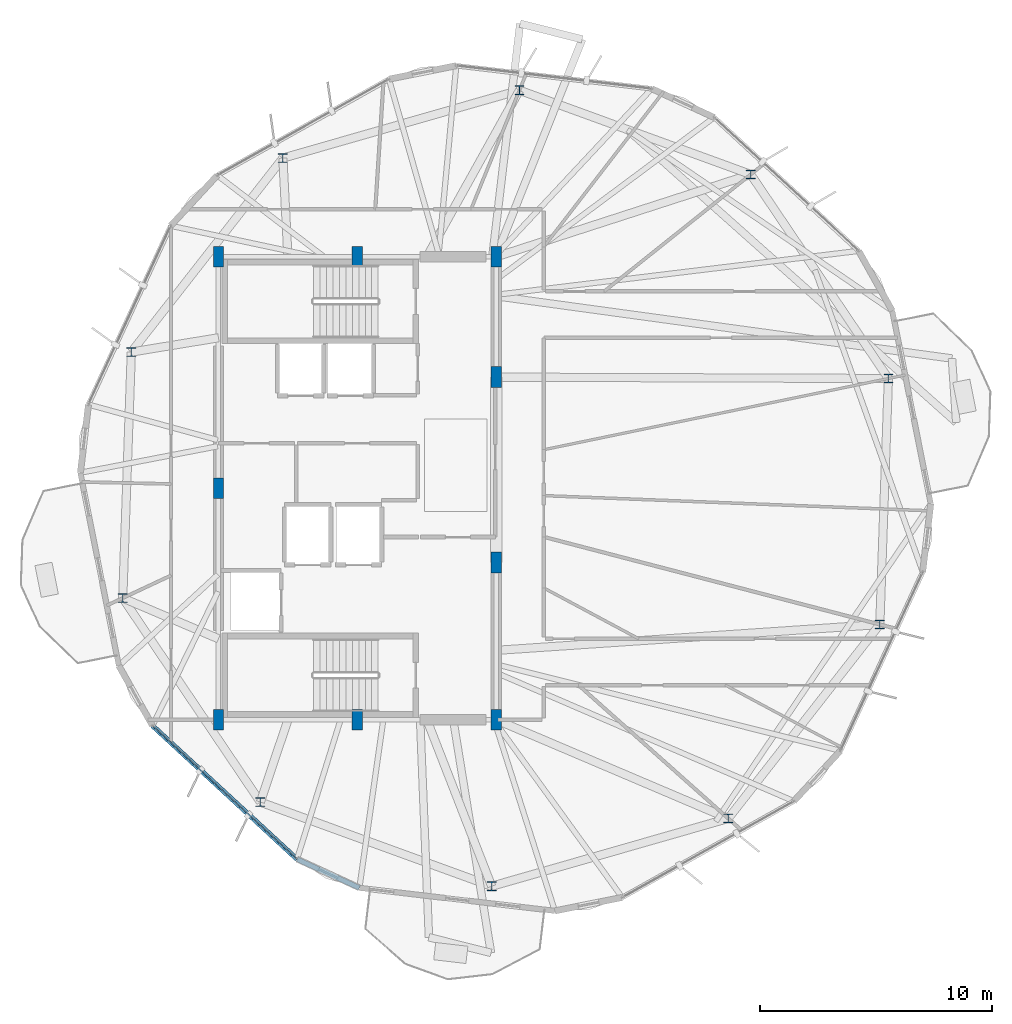
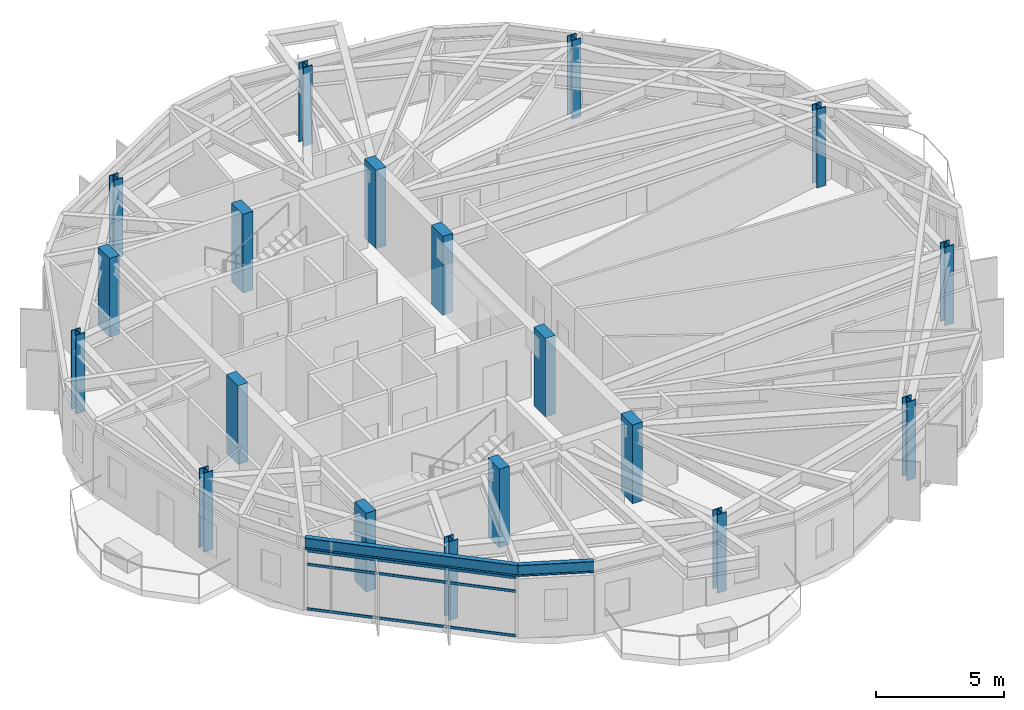
# One storey, part 1 of 25: 19 columns, 3 members, 2 beams, 1 element without a shape of its own.
"""IFC4 building model written with IfcOpenShell, lengths in metres."""

from ifc_helpers import new_model, si_unit, direction, frame, origin, origin_2d, place, context, subcontext, project, spatial, rectangle, hollow_rectangle, i_section, extrude, material, layer, layer_set, material_profile, profile_set, type_object, element, aggregate, save


model = new_model("IFC4")

# Units and contexts
model_context = context("Model", 3, precision=1e-05, world=origin(), true_north=direction((0.0, 1.0)))
body_context = subcontext(model_context, "Body", "Model", "MODEL_VIEW")
ifc_project = project(units=[si_unit("LENGTHUNIT", "METRE"), si_unit("AREAUNIT", "SQUARE_METRE"), si_unit("VOLUMEUNIT", "CUBIC_METRE"), si_unit("PLANEANGLEUNIT", "RADIAN"), si_unit("MASSUNIT", "GRAM", prefix="KILO")], contexts=[model_context])

# Site, building, storey
site_placement = place(None, origin())
site = spatial("IfcSite", under=ifc_project, at=site_placement, CompositionType="ELEMENT")
building_placement = place(site_placement, origin())
building = spatial("IfcBuilding", under=site, at=building_placement, Name="Soratama Intermodal Tower", CompositionType="ELEMENT")
storey_placement = place(building_placement, frame((0.0, 0.0, 272.5)))
storey = spatial("IfcBuildingStorey", under=building, at=storey_placement, Name="L69", CompositionType="ELEMENT", Elevation=272.5)

# Columns
ifc_material_1 = material(Name="Structural steel ASTM A992 Grade 50", Category="steel")
ifc_material_profile_1 = material_profile(ifc_material_1, i_section(OverallWidth=0.40087890625, OverallDepth=0.39892578125, WebThickness=0.02490234375, FlangeThickness=0.03955078125, FilletRadius=0.0380859375, at=origin_2d()), Name="W14X211")
ifc_profile_set_1 = profile_set([ifc_material_profile_1], Name="Structural steel ASTM A992 Grade 50")
column_type_1 = type_object("IfcColumnType", Name="COL-ZE-W14X211", PredefinedType="COLUMN", material=ifc_profile_set_1)
for number, where, z_axis, x_axis, name in (
    (1, (61.53369140625, 29.740966796875, 0.0), (0.0, 0.0, 1.0), (1.0, 0.0, 0.0), "L69 Tower Ring Column R01"),
    (2, (55.58935546875, 38.5537109375, 0.0), (0.0, 0.0, 1.0), (1.0, 0.0, 0.0), "L69 Tower Ring Column R02"),
    (3, (45.600341796875, 42.189453125, 0.0), (0.0, 0.0, 1.0), (1.0, 0.0, 0.0), "L69 Tower Ring Column R03"),
    (4, (35.3818359375, 39.259521484375, 0.0), (0.0, 0.0, 1.0), (1.0, 0.0, 0.0), "L69 Tower Ring Column R04"),
    (5, (28.83740234375, 30.8828125, 0.0), (0.0, 0.0, 1.0), (1.0, 0.0, 0.0), "L69 Tower Ring Column R05"),
    (6, (28.46630859375, 20.259033203125, 0.0), (0.0, 0.0, 1.0), (1.0, 0.0, 0.0), "L69 Tower Ring Column R06"),
    (7, (34.41064453125, 11.4462890625, 0.0), (0.0, 0.0, 1.0), (1.0, 0.0, 0.0), "L69 Tower Ring Column R07"),
    (8, (44.399658203125, 7.810546875, 0.0), (0.0, 0.0, 1.0), (1.0, 0.0, 0.0), "L69 Tower Ring Column R08"),
    (9, (54.6181640625, 10.740478515625, 0.0), (0.0, 0.0, 1.0), (1.0, 0.0, 0.0), "L69 Tower Ring Column R09"),
    (10, (61.16259765625, 19.1171875, 0.0), (0.0, 0.0, 1.0), (1.0, 0.0, 0.0), "L69 Tower Ring Column R10"),
):
    element("IfcColumn", number, at=place(storey_placement, frame(where, z_axis=z_axis, x_axis=x_axis)), inside=storey, type_object=column_type_1, Name=name, PredefinedType="COLUMN", context=body_context, shape_type="SweptSolid", body=[
        extrude(i_section(OverallWidth=0.40087890625, OverallDepth=0.39892578125, WebThickness=0.02490234375, FlangeThickness=0.03955078125, FilletRadius=0.0380859375, at=origin_2d()), origin(), (0.0, 0.0, 1.0), 3.75),
    ])
ifc_material_2 = material(Name="Concrete f'c 56 MPa", Category="concrete")
ifc_material_profile_2 = material_profile(ifc_material_2, rectangle(XDim=0.449951171875, YDim=0.89990234375, at=origin_2d()), Name="RC450X900")
ifc_profile_set_2 = profile_set([ifc_material_profile_2], Name="Concrete f'c 56 MPa")
column_type_2 = type_object("IfcColumnType", Name="PIL-CORE-450X900", PredefinedType="PILASTER", material=ifc_profile_set_2)
for number, where, z_axis, x_axis, name in (
    (11, (32.60009765625, 15.0, 0.0), (0.0, 0.0, 1.0), (1.0, 0.0, 0.0), "L69 Core Pilaster 1"),
    (12, (32.60009765625, 25.0, 0.0), (0.0, 0.0, 1.0), (1.0, 0.0, 0.0), "L69 Core Pilaster 2"),
    (13, (32.60009765625, 35.0, 0.0), (0.0, 0.0, 1.0), (1.0, 0.0, 0.0), "L69 Core Pilaster 3"),
    (14, (38.60009765625, 15.0, 0.0), (0.0, 0.0, 1.0), (1.0, 0.0, 0.0), "L69 Core Pilaster 4"),
    (15, (38.60009765625, 35.0, 0.0), (0.0, 0.0, 1.0), (1.0, 0.0, 0.0), "L69 Core Pilaster 5"),
    (16, (44.60009765625, 15.0, 0.0), (0.0, 0.0, 1.0), (1.0, 0.0, 0.0), "L69 Core Pilaster 6"),
    (17, (44.60009765625, 21.800048828125, 0.0), (0.0, 0.0, 1.0), (1.0, 0.0, 0.0), "L69 Core Pilaster 7"),
    (18, (44.60009765625, 29.800048828125, 0.0), (0.0, 0.0, 1.0), (1.0, 0.0, 0.0), "L69 Core Pilaster 8"),
    (19, (44.60009765625, 35.0, 0.0), (0.0, 0.0, 1.0), (1.0, 0.0, 0.0), "L69 Core Pilaster 9"),
):
    element("IfcColumn", number, at=place(storey_placement, frame(where, z_axis=z_axis, x_axis=x_axis)), inside=storey, type_object=column_type_2, Name=name, PredefinedType="PILASTER", context=body_context, shape_type="SweptSolid", body=[
        extrude(rectangle(XDim=0.449951171875, YDim=0.89990234375, at=origin_2d()), origin(), (0.0, 0.0, 1.0), 3.75),
    ])

# Beams
ifc_material_3 = material(Name="Structural steel ASTM A992 Grade 50", Category="steel")
ifc_material_profile_3 = material_profile(ifc_material_3, i_section(OverallWidth=0.2099609375, OverallDepth=0.537109375, WebThickness=0.010986328125, FlangeThickness=0.017333984375, FilletRadius=0.012939453125, at=origin_2d()), Name="W21X68")
ifc_profile_set_3 = profile_set([ifc_material_profile_3], Name="Structural steel ASTM A992 Grade 50")
beam_type = type_object("IfcBeamType", Name="BM-SPN-W21X68", PredefinedType="SPANDREL", material=ifc_profile_set_3)
beam_1_placement = place(storey_placement, frame((29.748046875, 14.7470703125, 3.181396484375), z_axis=(0.734655853182, -0.678439958571, 0.0), x_axis=(0.678439958571, 0.734655853182, 0.0)))
element("IfcBeam", 20, at=beam_1_placement, inside=storey, type_object=beam_type, Name="BS-L69-F05", PredefinedType="SPANDREL", context=body_context, shape_type="SweptSolid", body=[
    extrude(i_section(OverallWidth=0.2099609375, OverallDepth=0.537109375, WebThickness=0.010986328125, FlangeThickness=0.017333984375, FilletRadius=0.012939453125, at=origin_2d()), origin(), (0.0, 0.0, 1.0), 8.4990234375),
])
beam_2_placement = place(storey_placement, frame((35.991943359375, 8.98095703125, 3.181396484375), z_axis=(0.90833231235, -0.418249220371, 0.0), x_axis=(0.418249220371, 0.90833231235, 0.0)))
element("IfcBeam", 21, at=beam_2_placement, inside=storey, type_object=beam_type, Name="BS-L69-CRN05", PredefinedType="SPANDREL", context=body_context, shape_type="SweptSolid", body=[
    extrude(i_section(OverallWidth=0.2099609375, OverallDepth=0.537109375, WebThickness=0.010986328125, FlangeThickness=0.017333984375, FilletRadius=0.012939453125, at=origin_2d()), origin(), (0.0, 0.0, 1.0), 2.967041015625),
])

# Curtain wall, members
ifc_material_4 = material(Name="Double-glazed aluminium curtain wall", Category="aluminium")
ifc_layer = layer(ifc_material_4, 0.159912109375)
ifc_layer_set = layer_set([ifc_layer], Name="Double-glazed aluminium curtain wall")
curtain_wall_type = type_object("IfcCurtainWallType", Name="CW-SYS-5", PredefinedType="NOTDEFINED", material=ifc_layer_set)
curtain_wall_placement = place(storey_placement, origin())
curtain_wall = element("IfcCurtainWall", 22, at=curtain_wall_placement, inside=storey, type_object=curtain_wall_type, Name="L69 Faceted Curtain Wall F05", PredefinedType="NOTDEFINED")
ifc_material_5 = material(Name="Anodised aluminium AA 6063-T6", Category="aluminium")
ifc_material_profile_4 = material_profile(ifc_material_5, hollow_rectangle(XDim=0.06005859375, YDim=0.1298828125, WallThickness=0.0048828125, InnerFilletRadius=0.0048828125, OuterFilletRadius=0.010009765625, at=origin_2d()), Name="CWT130X60X5")
ifc_profile_set_4 = profile_set([ifc_material_profile_4], Name="Anodised aluminium AA 6063-T6")
member_type = type_object("IfcMemberType", Name="TT-CWT-2", PredefinedType="USERDEFINED", material=ifc_profile_set_4)
member_1_placement = place(storey_placement, frame((29.791748046875, 14.70654296875, 0.030029296875), z_axis=(0.734676097717, -0.678418035906, 0.0), x_axis=(0.678418035906, 0.734676097717, 0.0)))
member_1 = element("IfcMember", 23, at=member_1_placement, type_object=member_type, Name="CW-5 transom 1.1", ObjectType="TRANSOM", PredefinedType="USERDEFINED", context=body_context, shape_type="SweptSolid", body=[
    extrude(hollow_rectangle(XDim=0.06005859375, YDim=0.1298828125, WallThickness=0.0048828125, InnerFilletRadius=0.0048828125, OuterFilletRadius=0.010009765625, at=origin_2d()), origin(), (0.0, 0.0, 1.0), 8.3798828125),
])
member_2_placement = place(storey_placement, frame((29.791748046875, 14.70654296875, 2.14990234375), z_axis=(0.734676097717, -0.678418035906, 0.0), x_axis=(0.678418035906, 0.734676097717, 0.0)))
member_2 = element("IfcMember", 24, at=member_2_placement, type_object=member_type, Name="CW-5 transom 1.2", ObjectType="TRANSOM", PredefinedType="USERDEFINED", context=body_context, shape_type="SweptSolid", body=[
    extrude(hollow_rectangle(XDim=0.06005859375, YDim=0.1298828125, WallThickness=0.0048828125, InnerFilletRadius=0.0048828125, OuterFilletRadius=0.010009765625, at=origin_2d()), origin(), (0.0, 0.0, 1.0), 8.3798828125),
])
member_3_placement = place(storey_placement, frame((29.791748046875, 14.70654296875, 2.799072265625), z_axis=(0.734676097717, -0.678418035906, 0.0), x_axis=(0.678418035906, 0.734676097717, 0.0)))
member_3 = element("IfcMember", 25, at=member_3_placement, type_object=member_type, Name="CW-5 transom 1.3", ObjectType="TRANSOM", PredefinedType="USERDEFINED", context=body_context, shape_type="SweptSolid", body=[
    extrude(hollow_rectangle(XDim=0.06005859375, YDim=0.1298828125, WallThickness=0.0048828125, InnerFilletRadius=0.0048828125, OuterFilletRadius=0.010009765625, at=origin_2d()), origin(), (0.0, 0.0, 1.0), 8.3798828125),
])
aggregate(curtain_wall, [member_1, member_2, member_3])

save(model, "model.ifc")
